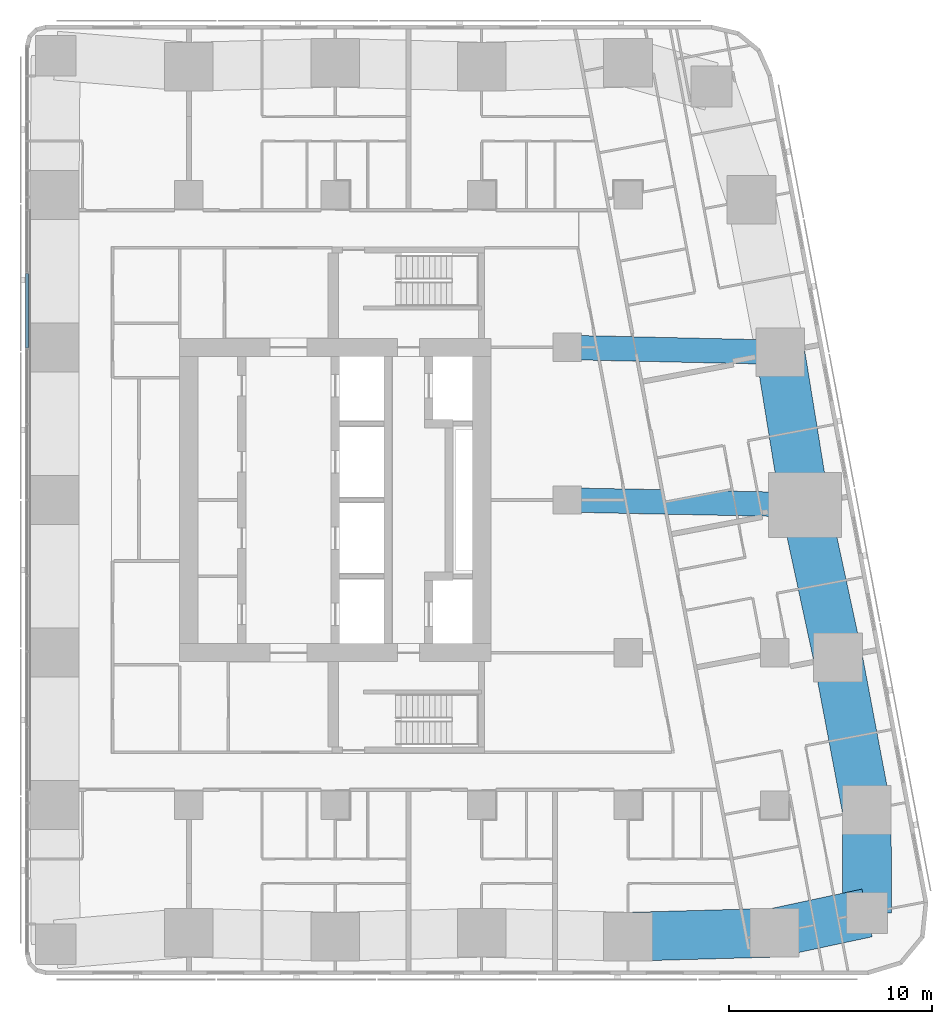
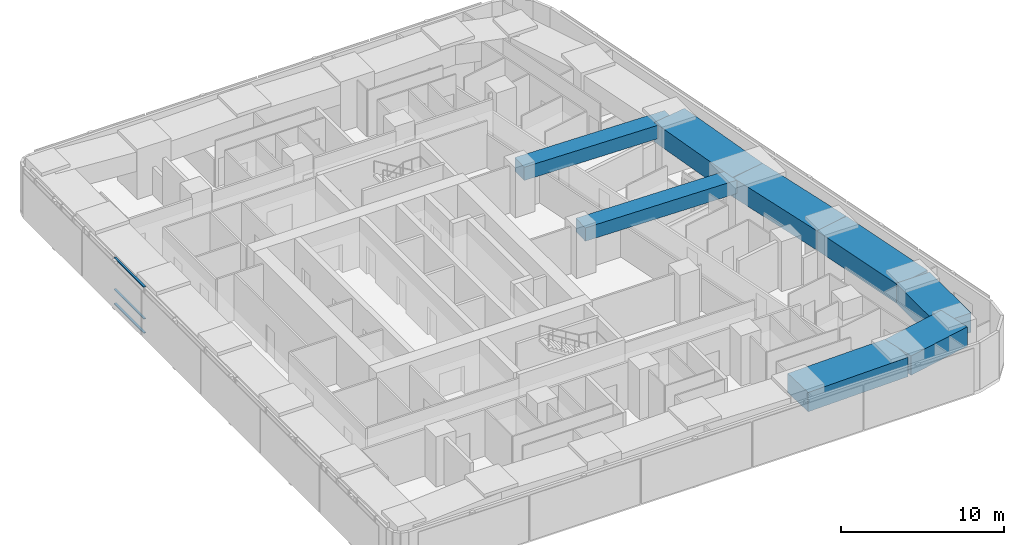
# One storey, part 4 of 19: 8 beams, 3 members, 1 element without a shape of its own.
"""IFC4 building model written with IfcOpenShell, lengths in metres."""

from ifc_helpers import new_model, si_unit, direction, frame, origin, origin_2d, place, context, subcontext, project, spatial, rectangle, extrude, material, material_profile, profile_set, type_object, element, aggregate, save


model = new_model("IFC4")

# Units and contexts
model_context = context("Model", 3, precision=1e-05, world=origin(), true_north=direction((0.0, 1.0)))
body_context = subcontext(model_context, "Body", "Model", "MODEL_VIEW")
ifc_project = project(units=[si_unit("LENGTHUNIT", "METRE"), si_unit("AREAUNIT", "SQUARE_METRE"), si_unit("VOLUMEUNIT", "CUBIC_METRE"), si_unit("PLANEANGLEUNIT", "RADIAN"), si_unit("MASSUNIT", "GRAM", prefix="KILO")], contexts=[model_context])

# Site, building, storey
site_placement = place(None, origin())
site = spatial("IfcSite", under=ifc_project, at=site_placement, CompositionType="ELEMENT")
building_placement = place(site_placement, origin())
building = spatial("IfcBuilding", under=site, at=building_placement, Name="Sheger Commons Tower", CompositionType="ELEMENT")
storey_placement = place(building_placement, frame((0.0, 0.0, 216.199951171875)))
storey = spatial("IfcBuildingStorey", under=building, at=storey_placement, Name="L55", CompositionType="ELEMENT", Elevation=216.199951171875)

# Beams
ifc_material_1 = material(Name="Concrete C50/60", Category="concrete")
ifc_material_profile_1 = material_profile(ifc_material_1, rectangle(XDim=1.199951171875, YDim=1.0, at=origin_2d()), Name="RC 1200x1000")
ifc_profile_set_1 = profile_set([ifc_material_profile_1], Name="Concrete C50/60")
beam_type_1 = type_object("IfcBeamType", Name="BEAM RC 1200x1000", PredefinedType="BEAM", material=ifc_profile_set_1)
beam_1_placement = place(storey_placement, frame((33.0, 22.5, 3.0), z_axis=(0.999794692776, -0.02026258368, 0.0), x_axis=(0.02026258368, 0.999794692776, 0.0)))
element("IfcBeam", 1, at=beam_1_placement, inside=storey, type_object=beam_type_1, Name="Beam 6-3000/D-7/D under L56", PredefinedType="BEAM", context=body_context, shape_type="SweptSolid", body=[
    extrude(rectangle(XDim=1.199951171875, YDim=1.0, at=origin_2d()), origin(), (0.0, 0.0, 1.0), 11.699462890625),
])
beam_2_placement = place(storey_placement, frame((33.0, 30.0, 3.0), z_axis=(0.999744258625, -0.022614538395, 0.0), x_axis=(0.022614538395, 0.999744258625, 0.0)))
element("IfcBeam", 2, at=beam_2_placement, inside=storey, type_object=beam_type_1, Name="Beam 6-3000/E-E/E under L56", PredefinedType="BEAM", context=body_context, shape_type="SweptSolid", body=[
    extrude(rectangle(XDim=1.199951171875, YDim=1.0, at=origin_2d()), origin(), (0.0, 0.0, 1.0), 10.482666015625),
])
ifc_material_2 = material(Name="Concrete C50/60", Category="concrete")
ifc_material_profile_2 = material_profile(ifc_material_2, rectangle(XDim=2.39990234375, YDim=1.449951171875, at=origin_2d()), Name="RC 2400x1450")
ifc_profile_set_2 = profile_set([ifc_material_profile_2], Name="Concrete C50/60")
beam_type_2 = type_object("IfcBeamType", Name="SPANDREL RC 2400x1450", PredefinedType="SPANDREL", material=ifc_profile_set_2)
beam_3_placement = place(storey_placement, frame((36.0, 1.02490234375, 2.775146484375), z_axis=(0.9996136624, 0.027794350926, 0.0), x_axis=(-0.027794350926, 0.9996136624, 0.0)))
element("IfcBeam", 3, at=beam_3_placement, inside=storey, type_object=beam_type_2, Name="Beam 6/A-7/A under L56", PredefinedType="SPANDREL", context=body_context, shape_type="SweptSolid", body=[
    extrude(rectangle(XDim=2.39990234375, YDim=1.449951171875, at=origin_2d()), origin(), (0.0, 0.0, 1.0), 7.20263671875),
])
beam_4_placement = place(storey_placement, frame((43.199951171875, 1.22509765625, 2.775146484375), z_axis=(0.977919796671, 0.208980552394, 0.0), x_axis=(-0.208980552394, 0.977919796671, 0.0)))
element("IfcBeam", 4, at=beam_4_placement, inside=storey, type_object=beam_type_2, Name="Beam 7/A-49.461,0.778 under L56", PredefinedType="SPANDREL", context=body_context, shape_type="SweptSolid", body=[
    extrude(rectangle(XDim=2.39990234375, YDim=1.449951171875, at=origin_2d()), origin(), (0.0, 0.0, 1.0), 4.65087890625),
])
beam_5_placement = place(storey_placement, frame((47.748046875, 2.197021484375, 2.775146484375), z_axis=(-0.003566242382, 0.999993640937, 0.0), x_axis=(-0.999993640937, -0.003566242382, 0.0)))
element("IfcBeam", 5, at=beam_5_placement, inside=storey, type_object=beam_type_2, Name="Beam 49.461,0.778-E/B under L56", PredefinedType="SPANDREL", context=body_context, shape_type="SweptSolid", body=[
    extrude(rectangle(XDim=2.39990234375, YDim=1.449951171875, at=origin_2d()), origin(), (0.0, 0.0, 1.0), 5.06591796875),
])
beam_6_placement = place(storey_placement, frame((47.72998046875, 7.262939453125, 2.775146484375), z_axis=(-0.18552441405, 0.982639655108, 0.0), x_axis=(-0.982639655108, -0.18552441405, 0.0)))
element("IfcBeam", 6, at=beam_6_placement, inside=storey, type_object=beam_type_2, Name="Beam E/B-E/C under L56", PredefinedType="SPANDREL", context=body_context, shape_type="SweptSolid", body=[
    extrude(rectangle(XDim=2.39990234375, YDim=1.449951171875, at=origin_2d()), origin(), (0.0, 0.0, 1.0), 7.632568359375),
])
beam_7_placement = place(storey_placement, frame((46.31396484375, 14.762939453125, 2.775146484375), z_axis=(-0.210750229323, 0.977539943348, 0.0), x_axis=(-0.977539943348, -0.210750229323, 0.0)))
element("IfcBeam", 7, at=beam_7_placement, inside=storey, type_object=beam_type_2, Name="Beam E/C-E/D under L56", PredefinedType="SPANDREL", context=body_context, shape_type="SweptSolid", body=[
    extrude(rectangle(XDim=2.39990234375, YDim=1.449951171875, at=origin_2d()), origin(), (0.0, 0.0, 1.0), 7.67236328125),
])
beam_8_placement = place(storey_placement, frame((44.697021484375, 22.262939453125, 2.775146484375), z_axis=(-0.160176929512, 0.987088319884, 0.0), x_axis=(-0.987088319884, -0.160176929512, 0.0)))
element("IfcBeam", 8, at=beam_8_placement, inside=storey, type_object=beam_type_2, Name="Beam E/D-E/E under L56", PredefinedType="SPANDREL", context=body_context, shape_type="SweptSolid", body=[
    extrude(rectangle(XDim=2.39990234375, YDim=1.449951171875, at=origin_2d()), origin(), (0.0, 0.0, 1.0), 7.59814453125),
])

# Curtain wall, members
ifc_material_3 = material(Name="Black aluminium curtain wall, dark tinted glazing", Category="aluminium")
curtain_wall_type = type_object("IfcCurtainWallType", Name="CURTAIN WALL CW4 GALLERY", PredefinedType="USERDEFINED", material=ifc_material_3)
curtain_wall_placement = place(storey_placement, origin())
curtain_wall = element("IfcCurtainWall", 9, at=curtain_wall_placement, inside=storey, type_object=curtain_wall_type, Name="Curtain Wall Cw4 Gallery W1 L55", ObjectType="UNITISED CURTAIN WALL", PredefinedType="USERDEFINED")
ifc_material_4 = material(Name="Black anodised aluminium", Category="aluminium")
ifc_material_profile_3 = material_profile(ifc_material_4, rectangle(XDim=0.14990234375, YDim=0.06494140625, at=origin_2d()), Name="AL 65x150")
ifc_profile_set_3 = profile_set([ifc_material_profile_3], Name="Black anodised aluminium")
member_type = type_object("IfcMemberType", Name="TRANSOM AL 65x150", PredefinedType="USERDEFINED", material=ifc_profile_set_3)
member_1_placement = place(storey_placement, frame((6.449951171875, 33.635498046875, 0.032470703125), z_axis=(0.0, -1.0, 0.0), x_axis=(1.0, 0.0, 0.0)))
member_1 = element("IfcMember", 10, at=member_1_placement, type_object=member_type, Name="CW4 transom 8.1", ObjectType="TRANSOM", PredefinedType="USERDEFINED", context=body_context, shape_type="SweptSolid", body=[
    extrude(rectangle(XDim=0.14990234375, YDim=0.06494140625, at=origin_2d()), origin(), (0.0, 0.0, 1.0), 3.656982421875),
])
member_2_placement = place(storey_placement, frame((6.449951171875, 33.635498046875, 1.10009765625), z_axis=(0.0, -1.0, 0.0), x_axis=(1.0, 0.0, 0.0)))
member_2 = element("IfcMember", 11, at=member_2_placement, type_object=member_type, Name="CW4 transom 8.2", ObjectType="TRANSOM", PredefinedType="USERDEFINED", context=body_context, shape_type="SweptSolid", body=[
    extrude(rectangle(XDim=0.14990234375, YDim=0.06494140625, at=origin_2d()), origin(), (0.0, 0.0, 1.0), 3.656982421875),
])
member_3_placement = place(storey_placement, frame((6.449951171875, 33.635498046875, 3.467529296875), z_axis=(0.0, -1.0, 0.0), x_axis=(1.0, 0.0, 0.0)))
member_3 = element("IfcMember", 12, at=member_3_placement, type_object=member_type, Name="CW4 transom 8.3", ObjectType="TRANSOM", PredefinedType="USERDEFINED", context=body_context, shape_type="SweptSolid", body=[
    extrude(rectangle(XDim=0.14990234375, YDim=0.06494140625, at=origin_2d()), origin(), (0.0, 0.0, 1.0), 3.656982421875),
])
aggregate(curtain_wall, [member_1, member_2, member_3])

save(model, "model.ifc")
